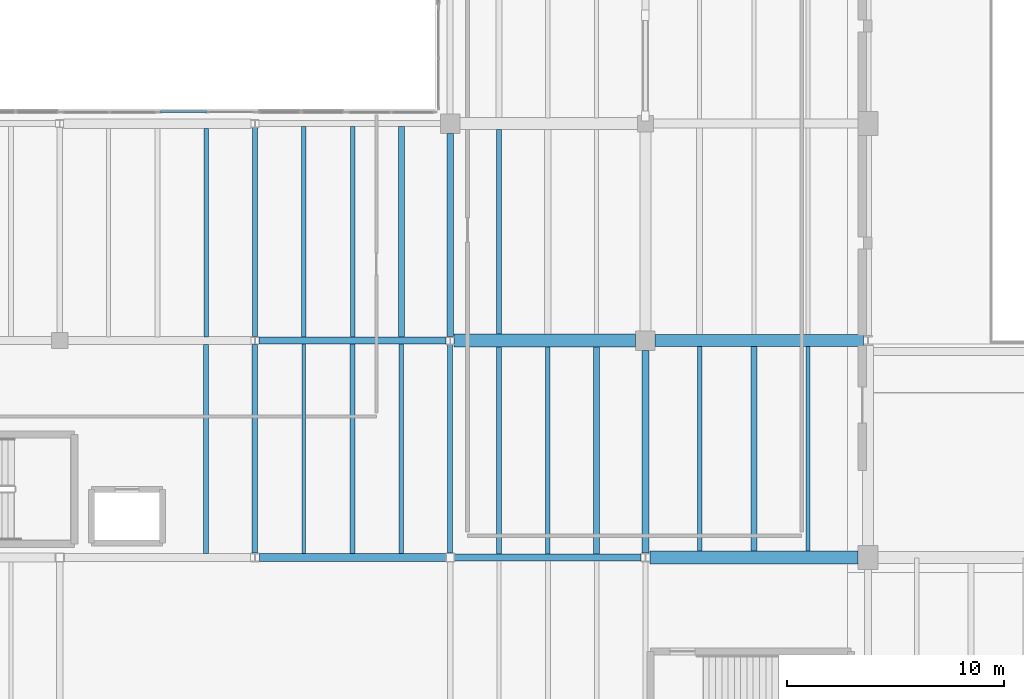
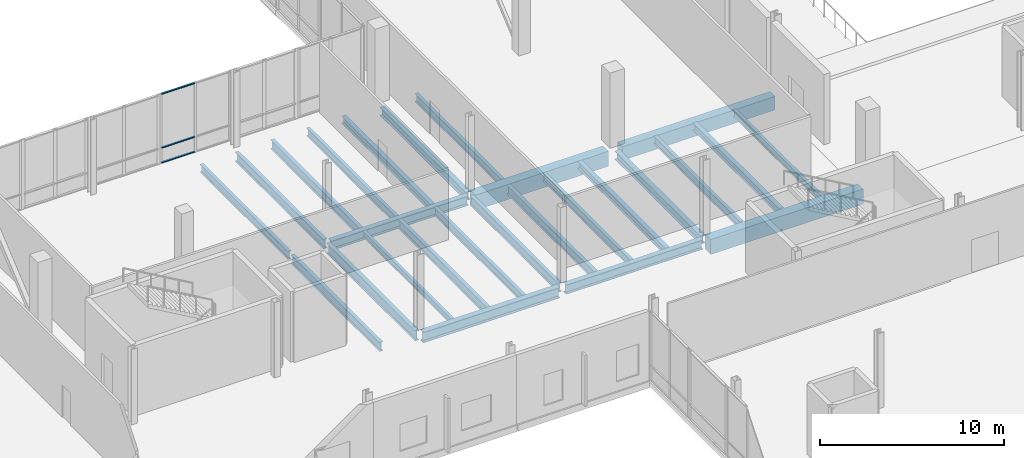
# One storey, part 23 of 81: 26 beams, 3 members, 1 element without a shape of its own.
"""IFC4 building model written with IfcOpenShell, lengths in metres."""

from ifc_helpers import new_model, si_unit, direction, frame, origin, origin_2d, place, context, subcontext, project, spatial, rectangle, i_section, extrude, material, material_profile, profile_set, type_object, element, aggregate, save


model = new_model("IFC4")

# Units and contexts
model_context = context("Model", 3, precision=1e-05, world=origin(), true_north=direction((0.0, 1.0)))
body_context = subcontext(model_context, "Body", "Model", "MODEL_VIEW")
ifc_project = project(units=[si_unit("LENGTHUNIT", "METRE"), si_unit("AREAUNIT", "SQUARE_METRE"), si_unit("VOLUMEUNIT", "CUBIC_METRE"), si_unit("PLANEANGLEUNIT", "RADIAN"), si_unit("MASSUNIT", "GRAM", prefix="KILO")], contexts=[model_context])

# Site, building, storey
site_placement = place(None, origin())
site = spatial("IfcSite", under=ifc_project, at=site_placement, CompositionType="ELEMENT")
building_placement = place(site_placement, origin())
building = spatial("IfcBuilding", under=site, at=building_placement, Name="Trimount Lyric Opera House", CompositionType="ELEMENT")
storey_placement = place(building_placement, frame((0.0, 0.0, 5.0)))
storey = spatial("IfcBuildingStorey", under=building, at=storey_placement, Name="L01", CompositionType="ELEMENT", Elevation=5.0)

# Beams
ifc_material_1 = material(Name="Steel ASTM A992 Grade 50", Category="steel")
ifc_material_profile_1 = material_profile(ifc_material_1, i_section(OverallWidth=0.35595703125, OverallDepth=0.700927734375, WebThickness=0.016845703125, FlangeThickness=0.02734375, FilletRadius=0.01806640625, at=origin_2d()), Name="W27X161")
ifc_profile_set_1 = profile_set([ifc_material_profile_1], Name="Steel ASTM A992 Grade 50")
beam_type_1 = type_object("IfcBeamType", Name="B-08", PredefinedType="BEAM", material=ifc_profile_set_1)
beam_1_placement = place(storey_placement, frame((36.202880859375, 54.0, -0.630615234375), z_axis=(1.0, 0.0, 0.0), x_axis=(0.0, 1.0, 0.0)))
element("IfcBeam", 1, at=beam_1_placement, inside=storey, type_object=beam_type_1, Name="L01 girder X-0495", PredefinedType="BEAM", context=body_context, shape_type="SweptSolid", body=[
    extrude(i_section(OverallWidth=0.35595703125, OverallDepth=0.700927734375, WebThickness=0.016845703125, FlangeThickness=0.02734375, FilletRadius=0.01806640625, at=origin_2d()), origin(), (0.0, 0.0, 1.0), 8.593994140625),
])
ifc_material_2 = material(Name="Steel ASTM A992 Grade 50", Category="steel")
ifc_material_profile_2 = material_profile(ifc_material_2, i_section(OverallWidth=0.25390625, OverallDepth=0.68798828125, WebThickness=0.01318359375, FlangeThickness=0.02099609375, FilletRadius=0.01611328125, at=origin_2d()), Name="W27X102")
ifc_profile_set_2 = profile_set([ifc_material_profile_2], Name="Steel ASTM A992 Grade 50")
beam_type_2 = type_object("IfcBeamType", Name="B-09", PredefinedType="BEAM", material=ifc_profile_set_2)
beam_2_placement = place(storey_placement, frame((36.0, 54.20849609375, -0.6240234375), z_axis=(0.0, 1.0, 0.0), x_axis=(-1.0, 0.0, 0.0)))
element("IfcBeam", 2, at=beam_2_placement, inside=storey, type_object=beam_type_2, Name="L01 girder Y-0623", PredefinedType="BEAM", context=body_context, shape_type="SweptSolid", body=[
    extrude(i_section(OverallWidth=0.25390625, OverallDepth=0.68798828125, WebThickness=0.01318359375, FlangeThickness=0.02099609375, FilletRadius=0.01611328125, at=origin_2d()), origin(), (0.0, 0.0, 1.0), 9.613525390625),
])
ifc_material_3 = material(Name="Steel ASTM A992 Grade 50", Category="steel")
ifc_material_profile_3 = material_profile(ifc_material_3, i_section(OverallWidth=0.327880859375, OverallDepth=0.626953125, WebThickness=0.0166015625, FlangeThickness=0.027587890625, FilletRadius=0.01611328125, at=origin_2d()), Name="W24X146")
ifc_profile_set_3 = profile_set([ifc_material_profile_3], Name="Steel ASTM A992 Grade 50")
beam_type_3 = type_object("IfcBeamType", Name="B-10", PredefinedType="BEAM", material=ifc_profile_set_3)
beam_3_placement = place(storey_placement, frame((45.203125, 54.0, -0.593505859375), z_axis=(1.0, 0.0, 0.0), x_axis=(0.0, 1.0, 0.0)))
element("IfcBeam", 3, at=beam_3_placement, inside=storey, type_object=beam_type_3, Name="L01 girder X-0496", PredefinedType="BEAM", context=body_context, shape_type="SweptSolid", body=[
    extrude(i_section(OverallWidth=0.327880859375, OverallDepth=0.626953125, WebThickness=0.0166015625, FlangeThickness=0.027587890625, FilletRadius=0.01611328125, at=origin_2d()), origin(), (0.0, 0.0, 1.0), 8.593994140625),
])
beam_4_placement = place(storey_placement, frame((36.18408203125, 64.0, -0.593505859375), z_axis=(1.0, 0.0, 0.0), x_axis=(0.0, 1.0, 0.0)))
element("IfcBeam", 4, at=beam_4_placement, inside=storey, type_object=beam_type_3, Name="L01 girder X-0511", PredefinedType="BEAM", context=body_context, shape_type="SweptSolid", body=[
    extrude(i_section(OverallWidth=0.327880859375, OverallDepth=0.626953125, WebThickness=0.0166015625, FlangeThickness=0.027587890625, FilletRadius=0.01611328125, at=origin_2d()), origin(), (0.0, 0.0, 1.0), 8.62939453125),
])
ifc_material_4 = material(Name="Steel ASTM A992 Grade 50", Category="steel")
ifc_material_profile_4 = material_profile(ifc_material_4, i_section(OverallWidth=0.22998046875, OverallDepth=0.616943359375, WebThickness=0.01318359375, FlangeThickness=0.022216796875, FilletRadius=0.013916015625, at=origin_2d()), Name="W24X94")
ifc_profile_set_4 = profile_set([ifc_material_profile_4], Name="Steel ASTM A992 Grade 50")
beam_type_4 = type_object("IfcBeamType", Name="B-11", PredefinedType="BEAM", material=ifc_profile_set_4)
beam_5_placement = place(storey_placement, frame((36.0, 64.177978515625, -0.58837890625), z_axis=(0.0, 1.0, 0.0), x_axis=(-1.0, 0.0, 0.0)))
element("IfcBeam", 5, at=beam_5_placement, inside=storey, type_object=beam_type_4, Name="L01 girder Y-0624", PredefinedType="BEAM", context=body_context, shape_type="SweptSolid", body=[
    extrude(i_section(OverallWidth=0.22998046875, OverallDepth=0.616943359375, WebThickness=0.01318359375, FlangeThickness=0.022216796875, FilletRadius=0.013916015625, at=origin_2d()), origin(), (0.0, 0.0, 1.0), 9.637939453125),
])
beam_6_placement = place(storey_placement, frame((45.0, 54.203125, -0.58837890625), z_axis=(0.0, 1.0, 0.0), x_axis=(-1.0, 0.0, 0.0)))
element("IfcBeam", 6, at=beam_6_placement, inside=storey, type_object=beam_type_4, Name="L01 girder Y-0630", PredefinedType="BEAM", context=body_context, shape_type="SweptSolid", body=[
    extrude(i_section(OverallWidth=0.22998046875, OverallDepth=0.616943359375, WebThickness=0.01318359375, FlangeThickness=0.022216796875, FilletRadius=0.013916015625, at=origin_2d()), origin(), (0.0, 0.0, 1.0), 9.61279296875),
])
ifc_material_5 = material(Name="Steel ASTM A992 Grade 50", Category="steel")
ifc_material_profile_5 = material_profile(ifc_material_5, i_section(OverallWidth=0.31201171875, OverallDepth=0.5458984375, WebThickness=0.013916015625, FlangeThickness=0.022216796875, FilletRadius=0.014892578125, at=origin_2d()), Name="W21X111")
ifc_profile_set_5 = profile_set([ifc_material_profile_5], Name="Steel ASTM A992 Grade 50")
beam_type_5 = type_object("IfcBeamType", Name="B-12", PredefinedType="BEAM", material=ifc_profile_set_5)
beam_7_placement = place(storey_placement, frame((45.0, 64.18408203125, -0.552978515625), z_axis=(0.0, 1.0, 0.0), x_axis=(-1.0, 0.0, 0.0)))
element("IfcBeam", 7, at=beam_7_placement, inside=storey, type_object=beam_type_5, Name="L01 girder Y-0631", PredefinedType="BEAM", context=body_context, shape_type="SweptSolid", body=[
    extrude(i_section(OverallWidth=0.31201171875, OverallDepth=0.5458984375, WebThickness=0.013916015625, FlangeThickness=0.022216796875, FilletRadius=0.014892578125, at=origin_2d()), origin(), (0.0, 0.0, 1.0), 9.365966796875),
])
beam_8_placement = place(storey_placement, frame((54.0, 54.20849609375, -0.552978515625), z_axis=(0.0, 1.0, 0.0), x_axis=(-1.0, 0.0, 0.0)))
element("IfcBeam", 8, at=beam_8_placement, inside=storey, type_object=beam_type_5, Name="L01 girder Y-0640", PredefinedType="BEAM", context=body_context, shape_type="SweptSolid", body=[
    extrude(i_section(OverallWidth=0.31201171875, OverallDepth=0.5458984375, WebThickness=0.013916015625, FlangeThickness=0.022216796875, FilletRadius=0.014892578125, at=origin_2d()), origin(), (0.0, 0.0, 1.0), 9.341552734375),
])
ifc_material_6 = material(Name="Concrete C40/50", Category="concrete")
ifc_material_profile_6 = material_profile(ifc_material_6, rectangle(XDim=0.60009765625, YDim=1.0, at=origin_2d()), Name="RC600X1000")
ifc_profile_set_6 = profile_set([ifc_material_profile_6], Name="Concrete C40/50")
beam_type_6 = type_object("IfcBeamType", Name="B-13", PredefinedType="BEAM", material=ifc_profile_set_6)
beam_9_placement = place(storey_placement, frame((54.202880859375, 54.0, -0.824951171875), z_axis=(1.0, 0.0, 0.0), x_axis=(0.0, 1.0, 0.0)))
element("IfcBeam", 9, at=beam_9_placement, inside=storey, type_object=beam_type_6, Name="L01 girder X-0497", PredefinedType="BEAM", context=body_context, shape_type="SweptSolid", body=[
    extrude(rectangle(XDim=0.60009765625, YDim=1.0, at=origin_2d()), origin(), (0.0, 0.0, 1.0), 9.607177734375),
])
beam_10_placement = place(storey_placement, frame((45.1865234375, 64.0, -0.780029296875), z_axis=(1.0, 0.0, 0.0), x_axis=(0.0, 1.0, 0.0)))
element("IfcBeam", 10, at=beam_10_placement, inside=storey, type_object=beam_type_6, Name="L01 girder X-0512", PredefinedType="BEAM", context=body_context, shape_type="SweptSolid", body=[
    extrude(rectangle(XDim=0.60009765625, YDim=1.0, at=origin_2d()), origin(), (0.0, 0.0, 1.0), 8.363525390625),
])
ifc_material_7 = material(Name="Concrete C40/50", Category="concrete")
ifc_material_profile_7 = material_profile(ifc_material_7, rectangle(XDim=0.550048828125, YDim=0.89990234375, at=origin_2d()), Name="RC550X900")
ifc_profile_set_7 = profile_set([ifc_material_profile_7], Name="Concrete C40/50")
beam_type_7 = type_object("IfcBeamType", Name="B-14", PredefinedType="BEAM", material=ifc_profile_set_7)
beam_11_placement = place(storey_placement, frame((54.449951171875, 64.0, -0.77490234375), z_axis=(1.0, 0.0, 0.0), x_axis=(0.0, 1.0, 0.0)))
element("IfcBeam", 11, at=beam_11_placement, inside=storey, type_object=beam_type_7, Name="L01 girder X-0513", PredefinedType="BEAM", context=body_context, shape_type="SweptSolid", body=[
    extrude(rectangle(XDim=0.550048828125, YDim=0.89990234375, at=origin_2d()), origin(), (0.0, 0.0, 1.0), 9.59912109375),
])
ifc_material_8 = material(Name="Steel ASTM A992 Grade 50", Category="steel")
ifc_material_profile_8 = material_profile(ifc_material_8, i_section(OverallWidth=0.22802734375, OverallDepth=0.60205078125, WebThickness=0.010498046875, FlangeThickness=0.014892578125, FilletRadius=0.012939453125, at=origin_2d()), Name="W24X68")
ifc_profile_set_8 = profile_set([ifc_material_profile_8], Name="Steel ASTM A992 Grade 50")
beam_type_8 = type_object("IfcBeamType", Name="J-01", PredefinedType="BEAM", material=ifc_profile_set_8)
beam_12_placement = place(storey_placement, frame((33.75, 54.18701171875, -0.5810546875), z_axis=(0.0, 1.0, 0.0), x_axis=(-1.0, 0.0, 0.0)))
element("IfcBeam", 12, at=beam_12_placement, inside=storey, type_object=beam_type_8, Name="L01 composite floor joist 0611", PredefinedType="BEAM", context=body_context, shape_type="SweptSolid", body=[
    extrude(i_section(OverallWidth=0.22802734375, OverallDepth=0.60205078125, WebThickness=0.010498046875, FlangeThickness=0.014892578125, FilletRadius=0.012939453125, at=origin_2d()), origin(), (0.0, 0.0, 1.0), 9.638916015625),
])
beam_13_placement = place(storey_placement, frame((40.5, 54.174072265625, -0.5810546875), z_axis=(0.0, 1.0, 0.0), x_axis=(-1.0, 0.0, 0.0)))
element("IfcBeam", 13, at=beam_13_placement, inside=storey, type_object=beam_type_8, Name="L01 composite floor joist 0622", PredefinedType="BEAM", context=body_context, shape_type="SweptSolid", body=[
    extrude(i_section(OverallWidth=0.22802734375, OverallDepth=0.60205078125, WebThickness=0.010498046875, FlangeThickness=0.014892578125, FilletRadius=0.012939453125, at=origin_2d()), origin(), (0.0, 0.0, 1.0), 9.666015625),
])
beam_14_placement = place(storey_placement, frame((38.25, 64.159912109375, -0.5810546875), z_axis=(0.0, 1.0, 0.0), x_axis=(-1.0, 0.0, 0.0)))
element("IfcBeam", 14, at=beam_14_placement, inside=storey, type_object=beam_type_8, Name="L01 composite floor joist 0624", PredefinedType="BEAM", context=body_context, shape_type="SweptSolid", body=[
    extrude(i_section(OverallWidth=0.22802734375, OverallDepth=0.60205078125, WebThickness=0.010498046875, FlangeThickness=0.014892578125, FilletRadius=0.012939453125, at=origin_2d()), origin(), (0.0, 0.0, 1.0), 9.703125),
])
beam_15_placement = place(storey_placement, frame((47.25, 54.159912109375, -0.5810546875), z_axis=(0.0, 1.0, 0.0), x_axis=(-1.0, 0.0, 0.0)))
element("IfcBeam", 15, at=beam_15_placement, inside=storey, type_object=beam_type_8, Name="L01 composite floor joist 0641", PredefinedType="BEAM", context=body_context, shape_type="SweptSolid", body=[
    extrude(i_section(OverallWidth=0.22802734375, OverallDepth=0.60205078125, WebThickness=0.010498046875, FlangeThickness=0.014892578125, FilletRadius=0.012939453125, at=origin_2d()), origin(), (0.0, 0.0, 1.0), 9.544189453125),
])
ifc_material_9 = material(Name="Steel ASTM A992 Grade 50", Category="steel")
ifc_material_profile_9 = material_profile(ifc_material_9, i_section(OverallWidth=0.2099609375, OverallDepth=0.532958984375, WebThickness=0.01025390625, FlangeThickness=0.015625, FilletRadius=0.012939453125, at=origin_2d()), Name="W21X62")
ifc_profile_set_9 = profile_set([ifc_material_profile_9], Name="Steel ASTM A992 Grade 50")
beam_type_9 = type_object("IfcBeamType", Name="J-02", PredefinedType="BEAM", material=ifc_profile_set_9)
beam_16_placement = place(storey_placement, frame((33.75, 64.174072265625, -0.54638671875), z_axis=(0.0, 1.0, 0.0), x_axis=(-1.0, 0.0, 0.0)))
element("IfcBeam", 16, at=beam_16_placement, inside=storey, type_object=beam_type_9, Name="L01 composite floor joist 0614", PredefinedType="BEAM", context=body_context, shape_type="SweptSolid", body=[
    extrude(i_section(OverallWidth=0.2099609375, OverallDepth=0.532958984375, WebThickness=0.01025390625, FlangeThickness=0.015625, FilletRadius=0.012939453125, at=origin_2d()), origin(), (0.0, 0.0, 1.0), 9.60498046875),
])
beam_17_placement = place(storey_placement, frame((42.75, 54.174072265625, -0.54638671875), z_axis=(0.0, 1.0, 0.0), x_axis=(-1.0, 0.0, 0.0)))
element("IfcBeam", 17, at=beam_17_placement, inside=storey, type_object=beam_type_9, Name="L01 composite floor joist 0623", PredefinedType="BEAM", context=body_context, shape_type="SweptSolid", body=[
    extrude(i_section(OverallWidth=0.2099609375, OverallDepth=0.532958984375, WebThickness=0.01025390625, FlangeThickness=0.015625, FilletRadius=0.012939453125, at=origin_2d()), origin(), (0.0, 0.0, 1.0), 9.666015625),
])
beam_18_placement = place(storey_placement, frame((40.5, 64.159912109375, -0.54638671875), z_axis=(0.0, 1.0, 0.0), x_axis=(-1.0, 0.0, 0.0)))
element("IfcBeam", 18, at=beam_18_placement, inside=storey, type_object=beam_type_9, Name="L01 composite floor joist 0625", PredefinedType="BEAM", context=body_context, shape_type="SweptSolid", body=[
    extrude(i_section(OverallWidth=0.2099609375, OverallDepth=0.532958984375, WebThickness=0.01025390625, FlangeThickness=0.015625, FilletRadius=0.012939453125, at=origin_2d()), origin(), (0.0, 0.0, 1.0), 9.703125),
])
beam_19_placement = place(storey_placement, frame((49.5, 54.159912109375, -0.54638671875), z_axis=(0.0, 1.0, 0.0), x_axis=(-1.0, 0.0, 0.0)))
element("IfcBeam", 19, at=beam_19_placement, inside=storey, type_object=beam_type_9, Name="L01 composite floor joist 0642", PredefinedType="BEAM", context=body_context, shape_type="SweptSolid", body=[
    extrude(i_section(OverallWidth=0.2099609375, OverallDepth=0.532958984375, WebThickness=0.01025390625, FlangeThickness=0.015625, FilletRadius=0.012939453125, at=origin_2d()), origin(), (0.0, 0.0, 1.0), 9.544189453125),
])
for number, where, z_axis, x_axis, name in (
    (20, (47.25, 64.2958984375, -0.54638671875), (0.0, 1.0, 0.0), (-1.0, 0.0, 0.0), "L01 composite floor joist 0644"),
    (21, (56.5, 54.2958984375, -0.54638671875), (0.0, 1.0, 0.0), (-1.0, 0.0, 0.0), "L01 composite floor joist 0668"),
):
    element("IfcBeam", number, at=place(storey_placement, frame(where, z_axis=z_axis, x_axis=x_axis)), inside=storey, type_object=beam_type_9, Name=name, PredefinedType="BEAM", context=body_context, shape_type="SweptSolid", body=[
        extrude(i_section(OverallWidth=0.2099609375, OverallDepth=0.532958984375, WebThickness=0.01025390625, FlangeThickness=0.015625, FilletRadius=0.012939453125, at=origin_2d()), origin(), (0.0, 0.0, 1.0), 9.43310546875),
    ])
ifc_material_10 = material(Name="Steel ASTM A992 Grade 50", Category="steel")
ifc_material_profile_10 = material_profile(ifc_material_10, i_section(OverallWidth=0.281982421875, OverallDepth=0.467041015625, WebThickness=0.01220703125, FlangeThickness=0.01953125, FilletRadius=0.012939453125, at=origin_2d()), Name="W18X86")
ifc_profile_set_10 = profile_set([ifc_material_profile_10], Name="Steel ASTM A992 Grade 50")
beam_type_10 = type_object("IfcBeamType", Name="J-03", PredefinedType="BEAM", material=ifc_profile_set_10)
beam_20_placement = place(storey_placement, frame((42.75, 64.159912109375, -0.513427734375), z_axis=(0.0, 1.0, 0.0), x_axis=(-1.0, 0.0, 0.0)))
element("IfcBeam", 22, at=beam_20_placement, inside=storey, type_object=beam_type_10, Name="L01 composite floor joist 0626", PredefinedType="BEAM", context=body_context, shape_type="SweptSolid", body=[
    extrude(i_section(OverallWidth=0.281982421875, OverallDepth=0.467041015625, WebThickness=0.01220703125, FlangeThickness=0.01953125, FilletRadius=0.012939453125, at=origin_2d()), origin(), (0.0, 0.0, 1.0), 9.703125),
])
beam_21_placement = place(storey_placement, frame((51.75, 54.159912109375, -0.513427734375), z_axis=(0.0, 1.0, 0.0), x_axis=(-1.0, 0.0, 0.0)))
element("IfcBeam", 23, at=beam_21_placement, inside=storey, type_object=beam_type_10, Name="L01 composite floor joist 0643", PredefinedType="BEAM", context=body_context, shape_type="SweptSolid", body=[
    extrude(i_section(OverallWidth=0.281982421875, OverallDepth=0.467041015625, WebThickness=0.01220703125, FlangeThickness=0.01953125, FilletRadius=0.012939453125, at=origin_2d()), origin(), (0.0, 0.0, 1.0), 9.544189453125),
])
beam_22_placement = place(storey_placement, frame((59.0, 54.2958984375, -0.513427734375), z_axis=(0.0, 1.0, 0.0), x_axis=(-1.0, 0.0, 0.0)))
element("IfcBeam", 24, at=beam_22_placement, inside=storey, type_object=beam_type_10, Name="L01 composite floor joist 0669", PredefinedType="BEAM", context=body_context, shape_type="SweptSolid", body=[
    extrude(i_section(OverallWidth=0.281982421875, OverallDepth=0.467041015625, WebThickness=0.01220703125, FlangeThickness=0.01953125, FilletRadius=0.012939453125, at=origin_2d()), origin(), (0.0, 0.0, 1.0), 9.43310546875),
])
ifc_material_11 = material(Name="Steel ASTM A992 Grade 50", Category="steel")
ifc_material_profile_11 = material_profile(ifc_material_11, i_section(OverallWidth=0.19091796875, OverallDepth=0.45703125, WebThickness=0.009033203125, FlangeThickness=0.014404296875, FilletRadius=0.010986328125, at=origin_2d()), Name="W18X50")
ifc_profile_set_11 = profile_set([ifc_material_profile_11], Name="Steel ASTM A992 Grade 50")
beam_type_11 = type_object("IfcBeamType", Name="J-04", PredefinedType="BEAM", material=ifc_profile_set_11)
beam_23_placement = place(storey_placement, frame((61.5, 54.2958984375, -0.508544921875), z_axis=(0.0, 1.0, 0.0), x_axis=(-1.0, 0.0, 0.0)))
element("IfcBeam", 25, at=beam_23_placement, inside=storey, type_object=beam_type_11, Name="L01 composite floor joist 0670", PredefinedType="BEAM", context=body_context, shape_type="SweptSolid", body=[
    extrude(i_section(OverallWidth=0.19091796875, OverallDepth=0.45703125, WebThickness=0.009033203125, FlangeThickness=0.014404296875, FilletRadius=0.010986328125, at=origin_2d()), origin(), (0.0, 0.0, 1.0), 9.43310546875),
])
ifc_material_12 = material(Name="Steel ASTM A992 Grade 50", Category="steel")
ifc_material_profile_12 = material_profile(ifc_material_12, i_section(OverallWidth=0.177978515625, OverallDepth=0.404052734375, WebThickness=0.007568359375, FlangeThickness=0.010986328125, FilletRadius=0.010009765625, at=origin_2d()), Name="W16X36")
ifc_profile_set_12 = profile_set([ifc_material_profile_12], Name="Steel ASTM A992 Grade 50")
beam_type_12 = type_object("IfcBeamType", Name="J-06", PredefinedType="BEAM", material=ifc_profile_set_12)
beam_24_placement = place(storey_placement, frame((38.25, 54.174072265625, -0.48193359375), z_axis=(0.0, 1.0, 0.0), x_axis=(-1.0, 0.0, 0.0)))
element("IfcBeam", 26, at=beam_24_placement, inside=storey, type_object=beam_type_12, Name="L01 composite floor joist 0621", PredefinedType="BEAM", context=body_context, shape_type="SweptSolid", body=[
    extrude(i_section(OverallWidth=0.177978515625, OverallDepth=0.404052734375, WebThickness=0.007568359375, FlangeThickness=0.010986328125, FilletRadius=0.010009765625, at=origin_2d()), origin(), (0.0, 0.0, 1.0), 9.666015625),
])

# Curtain wall, members
ifc_material_13 = material(Name="Thermally Broken Aluminium and Low-E Glass", Category="aluminium")
curtain_wall_type = type_object("IfcCurtainWallType", Name="CW-03", PredefinedType="NOTDEFINED", material=ifc_material_13)
curtain_wall_placement = place(storey_placement, origin())
curtain_wall = element("IfcCurtainWall", 27, at=curtain_wall_placement, inside=storey, type_object=curtain_wall_type, Name="L01 curtain wall 146", PredefinedType="NOTDEFINED")
ifc_material_14 = material(Name="Anodised Aluminium 6063-T6", Category="aluminium")
ifc_material_profile_13 = material_profile(ifc_material_14, rectangle(XDim=0.114990234375, YDim=0.06005859375, at=origin_2d()), Name="ALU-TRAN-60X115")
ifc_profile_set_13 = profile_set([ifc_material_profile_13], Name="Anodised Aluminium 6063-T6")
member_type = type_object("IfcMemberType", Name="TR-03", PredefinedType="USERDEFINED", material=ifc_profile_set_13)
member_1_placement = place(storey_placement, frame((31.64990234375, 74.5400390625, 0.0576171875), z_axis=(1.0, 0.0, 0.0), x_axis=(0.0, 1.0, 0.0)))
member_1 = element("IfcMember", 28, at=member_1_placement, type_object=member_type, Name="CW-03 transom 1.1", ObjectType="TRANSOM", PredefinedType="USERDEFINED", context=body_context, shape_type="SweptSolid", body=[
    extrude(rectangle(XDim=0.114990234375, YDim=0.06005859375, at=origin_2d()), origin(), (0.0, 0.0, 1.0), 2.114990234375),
])
member_2_placement = place(storey_placement, frame((31.64990234375, 74.5400390625, 1.050048828125), z_axis=(1.0, 0.0, 0.0), x_axis=(0.0, 1.0, 0.0)))
member_2 = element("IfcMember", 29, at=member_2_placement, type_object=member_type, Name="CW-03 transom 1.2", ObjectType="TRANSOM", PredefinedType="USERDEFINED", context=body_context, shape_type="SweptSolid", body=[
    extrude(rectangle(XDim=0.114990234375, YDim=0.06005859375, at=origin_2d()), origin(), (0.0, 0.0, 1.0), 2.114990234375),
])
member_3_placement = place(storey_placement, frame((31.64990234375, 74.5400390625, 4.62255859375), z_axis=(1.0, 0.0, 0.0), x_axis=(0.0, 1.0, 0.0)))
member_3 = element("IfcMember", 30, at=member_3_placement, type_object=member_type, Name="CW-03 transom 1.3", ObjectType="TRANSOM", PredefinedType="USERDEFINED", context=body_context, shape_type="SweptSolid", body=[
    extrude(rectangle(XDim=0.114990234375, YDim=0.06005859375, at=origin_2d()), origin(), (0.0, 0.0, 1.0), 2.114990234375),
])
aggregate(curtain_wall, [member_1, member_2, member_3])

save(model, "model.ifc")
